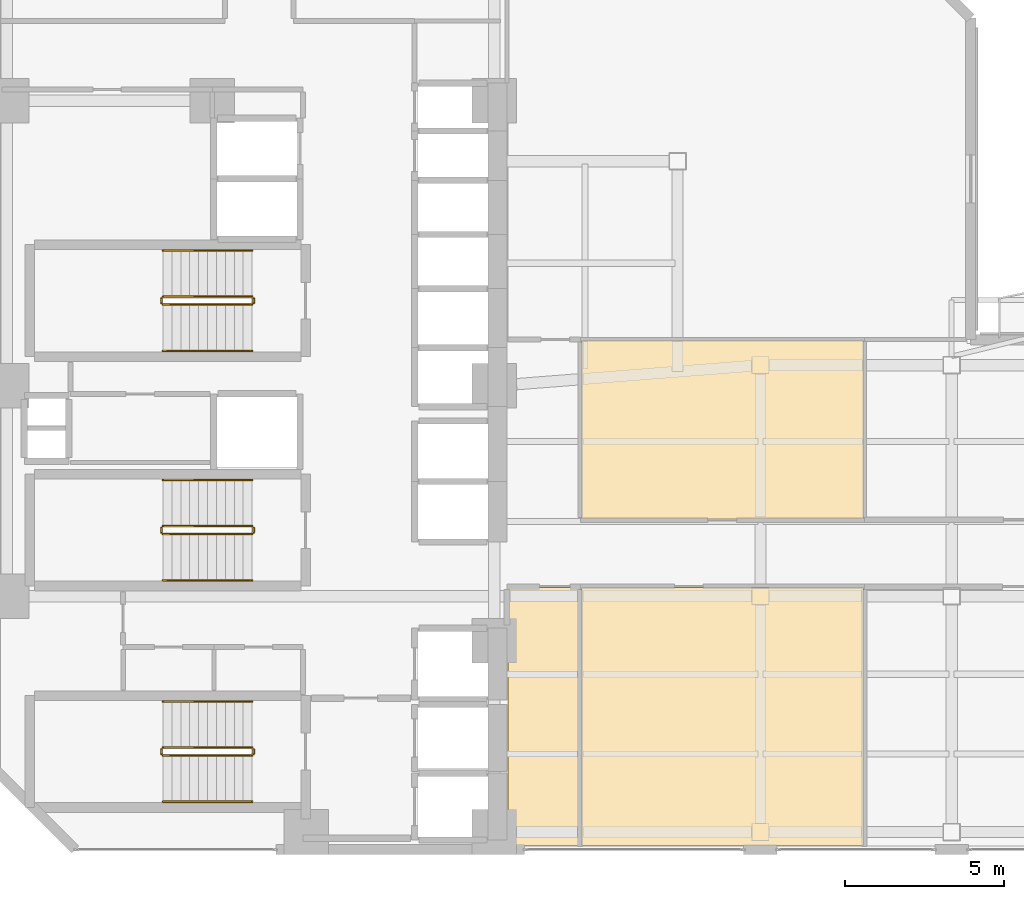
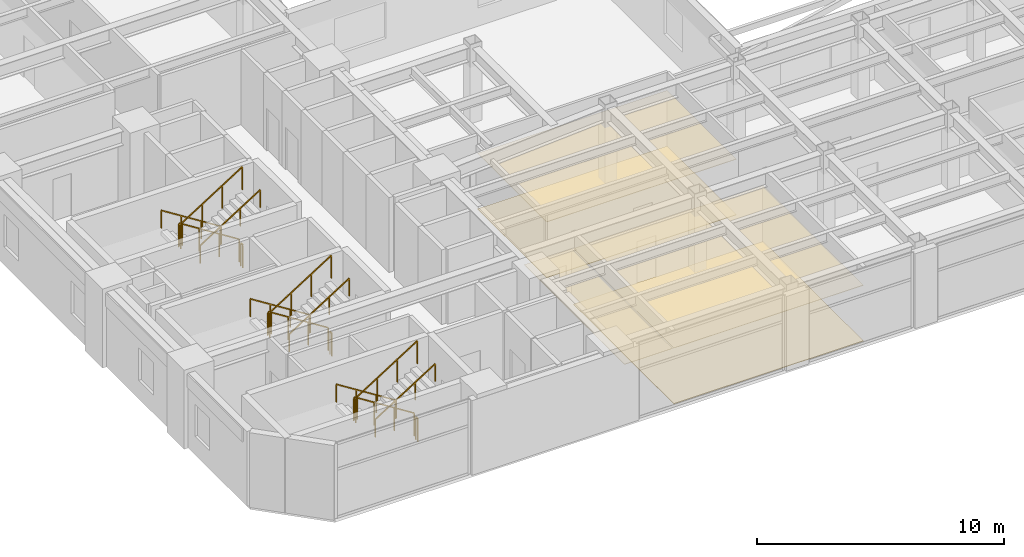
# One storey, part 14 of 16: 18 railings, 5 coverings.
"""IFC4 building model written with IfcOpenShell, lengths in metres."""

from ifc_helpers import new_model, si_unit, direction, frame, origin, origin_2d, place, context, subcontext, project, spatial, polyline, rectangle, outline, extrude, material, layer, layer_set, type_object, element, save


model = new_model("IFC4")

# Units and contexts
model_context = context("Model", 3, precision=1e-05, world=origin(), true_north=direction((0.0, 1.0)))
body_context = subcontext(model_context, "Body", "Model", "MODEL_VIEW")
ifc_project = project(units=[si_unit("LENGTHUNIT", "METRE"), si_unit("AREAUNIT", "SQUARE_METRE"), si_unit("VOLUMEUNIT", "CUBIC_METRE"), si_unit("PLANEANGLEUNIT", "RADIAN"), si_unit("MASSUNIT", "GRAM", prefix="KILO")], contexts=[model_context])

# Site, building, storey
site_placement = place(None, origin())
site = spatial("IfcSite", under=ifc_project, at=site_placement, CompositionType="ELEMENT")
building_placement = place(site_placement, origin())
building = spatial("IfcBuilding", under=site, at=building_placement, Name="Mawjaban Terraces University", CompositionType="ELEMENT")
storey_placement = place(building_placement, frame((0.0, 0.0, 54.39990234375)))
storey = spatial("IfcBuildingStorey", under=building, at=storey_placement, Name="L12", CompositionType="ELEMENT", Elevation=54.39990234375)

# Coverings
ifc_material_1 = material(Name="Acoustic mineral fibre ceiling tile", Category="masonry")
ifc_layer_1 = layer(ifc_material_1, 0.02001953125)
ifc_layer_set_1 = layer_set([ifc_layer_1], Name="Acoustic mineral fibre ceiling tile")
covering_type_1 = type_object("IfcCoveringType", Name="AcousticMineralCeiling_20", PredefinedType="CEILING", material=ifc_layer_set_1)
covering_1_placement = place(storey_placement, frame((0.0, 0.0, 2.75)))
element("IfcCovering", 1, at=covering_1_placement, inside=storey, type_object=covering_type_1, Name="L12 Media Workshop 1 Acoustic Ceiling", PredefinedType="CEILING", context=body_context, shape_type="SweptSolid", body=[
    extrude(outline(polyline([(38.080078125, 0.114990234375), (40.320068359375, 0.114990234375), (40.320068359375, 8.219970703125), (38.080078125, 8.219970703125), (38.080078125, 0.114990234375)])), origin(), (0.0, 0.0, 1.0), 0.02001953125),
])
covering_2_placement = place(storey_placement, frame((0.0, 0.0, 2.75)))
element("IfcCovering", 2, at=covering_2_placement, inside=storey, type_object=covering_type_1, Name="L12 Quiet Reading Room 2 Acoustic Ceiling", PredefinedType="CEILING", context=body_context, shape_type="SweptSolid", body=[
    extrude(outline(polyline([(40.3798828125, 0.114990234375), (49.23291015625, 0.114990234375), (49.23291015625, 8.219970703125), (40.3798828125, 8.219970703125), (40.3798828125, 0.114990234375)])), origin(), (0.0, 0.0, 1.0), 0.02001953125),
])
covering_3_placement = place(storey_placement, frame((0.0, 0.0, 2.75)))
element("IfcCovering", 3, at=covering_3_placement, inside=storey, type_object=covering_type_1, Name="L12 Reading Salon 3 Acoustic Ceiling", PredefinedType="CEILING", context=body_context, shape_type="SweptSolid", body=[
    extrude(outline(polyline([(49.23291015625, 10.3798828125), (49.23291015625, 15.969970703125), (40.3798828125, 15.969970703125), (40.3798828125, 10.3798828125), (49.23291015625, 10.3798828125)])), origin(), (0.0, 0.0, 1.0), 0.02001953125),
])

# Railings
ifc_material_2 = material(Name="Brushed stainless steel 316", Category="steel")
railing_type_1 = type_object("IfcRailingType", Name="StairWallHandrail_900", PredefinedType="HANDRAIL", material=ifc_material_2)
railing_1_placement = place(storey_placement, frame((30.050048828125, 4.64990234375, 0.177490234375)))
element("IfcRailing", 4, at=railing_1_placement, inside=storey, type_object=railing_type_1, Name="L12 ST-1 stair handrail 1", PredefinedType="HANDRAIL", context=body_context, shape_type="SweptSolid", body=[
    extrude(rectangle(XDim=0.048095703125, YDim=0.048095703125, at=origin_2d()), frame((0.0, 0.0, 0.8759765625), z_axis=(-0.844908973607, 0.0, 0.534910110503), x_axis=(0.0, -1.0, 0.0)), (0.0, 0.0, 1.0), 3.31396484375),
    extrude(rectangle(XDim=0.0419921875, YDim=0.0419921875, at=origin_2d()), origin(), (0.0, 0.0, 1.0), 0.851806640625),
    extrude(rectangle(XDim=0.0419921875, YDim=0.0419921875, at=origin_2d()), frame((-0.933349609375, 0.0, 0.5908203125)), (0.0, 0.0, 1.0), 0.851806640625),
    extrude(rectangle(XDim=0.0419921875, YDim=0.0419921875, at=origin_2d()), frame((-1.86669921875, 0.0, 1.181884765625)), (0.0, 0.0, 1.0), 0.851806640625),
    extrude(rectangle(XDim=0.0419921875, YDim=0.0419921875, at=origin_2d()), frame((-2.800048828125, 0.0, 1.772705078125)), (0.0, 0.0, 1.0), 0.851806640625),
])
railing_2_placement = place(storey_placement, frame((27.25, 1.5, 2.12744140625)))
element("IfcRailing", 5, at=railing_2_placement, inside=storey, type_object=railing_type_1, Name="L12 ST-1 stair handrail 2", PredefinedType="HANDRAIL", context=body_context, shape_type="SweptSolid", body=[
    extrude(rectangle(XDim=0.048095703125, YDim=0.048095703125, at=origin_2d()), frame((0.0, 0.0, 0.8759765625), z_axis=(0.844908973607, 0.0, 0.534910110503), x_axis=(0.0, 1.0, 0.0)), (0.0, 0.0, 1.0), 3.31396484375),
    extrude(rectangle(XDim=0.0419921875, YDim=0.0419921875, at=origin_2d()), origin(), (0.0, 0.0, 1.0), 0.851806640625),
    extrude(rectangle(XDim=0.0419921875, YDim=0.0419921875, at=origin_2d()), frame((0.933349609375, 0.0, 0.5908203125)), (0.0, 0.0, 1.0), 0.851806640625),
    extrude(rectangle(XDim=0.0419921875, YDim=0.0419921875, at=origin_2d()), frame((1.86669921875, 0.0, 1.181884765625)), (0.0, 0.0, 1.0), 0.851806640625),
    extrude(rectangle(XDim=0.0419921875, YDim=0.0419921875, at=origin_2d()), frame((2.800048828125, 0.0, 1.772705078125)), (0.0, 0.0, 1.0), 0.851806640625),
])
railing_3_placement = place(storey_placement, frame((30.050048828125, 18.800048828125, 0.177490234375)))
element("IfcRailing", 6, at=railing_3_placement, inside=storey, type_object=railing_type_1, Name="L12 ST-2 stair handrail 1", PredefinedType="HANDRAIL", context=body_context, shape_type="SweptSolid", body=[
    extrude(rectangle(XDim=0.048095703125, YDim=0.048095703125, at=origin_2d()), frame((0.0, 0.0, 0.8759765625), z_axis=(-0.844908973607, 0.0, 0.534910110503), x_axis=(0.0, -1.0, 0.0)), (0.0, 0.0, 1.0), 3.31396484375),
    extrude(rectangle(XDim=0.0419921875, YDim=0.0419921875, at=origin_2d()), origin(), (0.0, 0.0, 1.0), 0.851806640625),
    extrude(rectangle(XDim=0.0419921875, YDim=0.0419921875, at=origin_2d()), frame((-0.933349609375, 0.0, 0.5908203125)), (0.0, 0.0, 1.0), 0.851806640625),
    extrude(rectangle(XDim=0.0419921875, YDim=0.0419921875, at=origin_2d()), frame((-1.86669921875, 0.0, 1.181884765625)), (0.0, 0.0, 1.0), 0.851806640625),
    extrude(rectangle(XDim=0.0419921875, YDim=0.0419921875, at=origin_2d()), frame((-2.800048828125, 0.0, 1.772705078125)), (0.0, 0.0, 1.0), 0.851806640625),
])
railing_4_placement = place(storey_placement, frame((27.25, 15.64990234375, 2.12744140625)))
element("IfcRailing", 7, at=railing_4_placement, inside=storey, type_object=railing_type_1, Name="L12 ST-2 stair handrail 2", PredefinedType="HANDRAIL", context=body_context, shape_type="SweptSolid", body=[
    extrude(rectangle(XDim=0.048095703125, YDim=0.048095703125, at=origin_2d()), frame((0.0, 0.0, 0.8759765625), z_axis=(0.844908973607, 0.0, 0.534910110503), x_axis=(0.0, 1.0, 0.0)), (0.0, 0.0, 1.0), 3.31396484375),
    extrude(rectangle(XDim=0.0419921875, YDim=0.0419921875, at=origin_2d()), origin(), (0.0, 0.0, 1.0), 0.851806640625),
    extrude(rectangle(XDim=0.0419921875, YDim=0.0419921875, at=origin_2d()), frame((0.933349609375, 0.0, 0.5908203125)), (0.0, 0.0, 1.0), 0.851806640625),
    extrude(rectangle(XDim=0.0419921875, YDim=0.0419921875, at=origin_2d()), frame((1.86669921875, 0.0, 1.181884765625)), (0.0, 0.0, 1.0), 0.851806640625),
    extrude(rectangle(XDim=0.0419921875, YDim=0.0419921875, at=origin_2d()), frame((2.800048828125, 0.0, 1.772705078125)), (0.0, 0.0, 1.0), 0.851806640625),
])
railing_5_placement = place(storey_placement, frame((30.050048828125, 11.60009765625, 0.177490234375)))
element("IfcRailing", 8, at=railing_5_placement, inside=storey, type_object=railing_type_1, Name="L12 ST-3 stair handrail 1", PredefinedType="HANDRAIL", context=body_context, shape_type="SweptSolid", body=[
    extrude(rectangle(XDim=0.048095703125, YDim=0.048095703125, at=origin_2d()), frame((0.0, 0.0, 0.8759765625), z_axis=(-0.844908973607, 0.0, 0.534910110503), x_axis=(0.0, -1.0, 0.0)), (0.0, 0.0, 1.0), 3.31396484375),
    extrude(rectangle(XDim=0.0419921875, YDim=0.0419921875, at=origin_2d()), origin(), (0.0, 0.0, 1.0), 0.851806640625),
    extrude(rectangle(XDim=0.0419921875, YDim=0.0419921875, at=origin_2d()), frame((-0.933349609375, 0.0, 0.5908203125)), (0.0, 0.0, 1.0), 0.851806640625),
    extrude(rectangle(XDim=0.0419921875, YDim=0.0419921875, at=origin_2d()), frame((-1.86669921875, 0.0, 1.181884765625)), (0.0, 0.0, 1.0), 0.851806640625),
    extrude(rectangle(XDim=0.0419921875, YDim=0.0419921875, at=origin_2d()), frame((-2.800048828125, 0.0, 1.772705078125)), (0.0, 0.0, 1.0), 0.851806640625),
])
railing_6_placement = place(storey_placement, frame((27.25, 8.449951171875, 2.12744140625)))
element("IfcRailing", 9, at=railing_6_placement, inside=storey, type_object=railing_type_1, Name="L12 ST-3 stair handrail 2", PredefinedType="HANDRAIL", context=body_context, shape_type="SweptSolid", body=[
    extrude(rectangle(XDim=0.048095703125, YDim=0.048095703125, at=origin_2d()), frame((0.0, 0.0, 0.8759765625), z_axis=(0.844908973607, 0.0, 0.534910110503), x_axis=(0.0, 1.0, 0.0)), (0.0, 0.0, 1.0), 3.31396484375),
    extrude(rectangle(XDim=0.0419921875, YDim=0.0419921875, at=origin_2d()), origin(), (0.0, 0.0, 1.0), 0.851806640625),
    extrude(rectangle(XDim=0.0419921875, YDim=0.0419921875, at=origin_2d()), frame((0.933349609375, 0.0, 0.5908203125)), (0.0, 0.0, 1.0), 0.851806640625),
    extrude(rectangle(XDim=0.0419921875, YDim=0.0419921875, at=origin_2d()), frame((1.86669921875, 0.0, 1.181884765625)), (0.0, 0.0, 1.0), 0.851806640625),
    extrude(rectangle(XDim=0.0419921875, YDim=0.0419921875, at=origin_2d()), frame((2.800048828125, 0.0, 1.772705078125)), (0.0, 0.0, 1.0), 0.851806640625),
])
ifc_material_3 = material(Name="Galvanised painted steel S355", Category="steel")
railing_type_2 = type_object("IfcRailingType", Name="StairWellGuard_1150", PredefinedType="BALUSTRADE", material=ifc_material_3)
railing_7_placement = place(storey_placement, frame((30.050048828125, 3.199951171875, 0.177490234375)))
element("IfcRailing", 10, at=railing_7_placement, inside=storey, type_object=railing_type_2, Name="L12 ST-1 stair guard 1", PredefinedType="BALUSTRADE", context=body_context, shape_type="SweptSolid", body=[
    extrude(rectangle(XDim=0.048095703125, YDim=0.048095703125, at=origin_2d()), frame((0.0, 0.0, 1.1259765625), z_axis=(-0.844908973607, 0.0, 0.534910110503), x_axis=(0.0, -1.0, 0.0)), (0.0, 0.0, 1.0), 3.31396484375),
    extrude(rectangle(XDim=0.0419921875, YDim=0.0419921875, at=origin_2d()), origin(), (0.0, 0.0, 1.0), 1.101806640625),
    extrude(rectangle(XDim=0.0419921875, YDim=0.0419921875, at=origin_2d()), frame((-0.933349609375, 0.0, 0.5908203125)), (0.0, 0.0, 1.0), 1.101806640625),
    extrude(rectangle(XDim=0.0419921875, YDim=0.0419921875, at=origin_2d()), frame((-1.86669921875, 0.0, 1.181884765625)), (0.0, 0.0, 1.0), 1.101806640625),
    extrude(rectangle(XDim=0.0419921875, YDim=0.0419921875, at=origin_2d()), frame((-2.800048828125, 0.0, 1.772705078125)), (0.0, 0.0, 1.0), 1.101806640625),
])
railing_8_placement = place(storey_placement, frame((27.199951171875, 3.14990234375, 1.9501953125)))
element("IfcRailing", 11, at=railing_8_placement, inside=storey, type_object=railing_type_2, Name="L12 ST-1 stair guard 2", PredefinedType="BALUSTRADE", context=body_context, shape_type="SweptSolid", body=[
    extrude(rectangle(XDim=0.048095703125, YDim=0.048095703125, at=origin_2d()), frame((0.0, 0.0, 1.1259765625), z_axis=(0.0, -1.0, 0.0), x_axis=(1.0, 0.0, 0.0)), (0.0, 0.0, 1.0), 0.14990234375),
    extrude(rectangle(XDim=0.0419921875, YDim=0.0419921875, at=origin_2d()), origin(), (0.0, 0.0, 1.0), 1.101806640625),
    extrude(rectangle(XDim=0.0419921875, YDim=0.0419921875, at=origin_2d()), frame((0.0, -0.14990234375, 0.0)), (0.0, 0.0, 1.0), 1.101806640625),
])
railing_9_placement = place(storey_placement, frame((27.25, 2.949951171875, 2.12744140625)))
element("IfcRailing", 12, at=railing_9_placement, inside=storey, type_object=railing_type_2, Name="L12 ST-1 stair guard 3", PredefinedType="BALUSTRADE", context=body_context, shape_type="SweptSolid", body=[
    extrude(rectangle(XDim=0.048095703125, YDim=0.048095703125, at=origin_2d()), frame((0.0, 0.0, 1.1259765625), z_axis=(0.844908973607, 0.0, 0.534910110503), x_axis=(0.0, 1.0, 0.0)), (0.0, 0.0, 1.0), 3.31396484375),
    extrude(rectangle(XDim=0.0419921875, YDim=0.0419921875, at=origin_2d()), origin(), (0.0, 0.0, 1.0), 1.101806640625),
    extrude(rectangle(XDim=0.0419921875, YDim=0.0419921875, at=origin_2d()), frame((0.933349609375, 0.0, 0.5908203125)), (0.0, 0.0, 1.0), 1.101806640625),
    extrude(rectangle(XDim=0.0419921875, YDim=0.0419921875, at=origin_2d()), frame((1.86669921875, 0.0, 1.181884765625)), (0.0, 0.0, 1.0), 1.101806640625),
    extrude(rectangle(XDim=0.0419921875, YDim=0.0419921875, at=origin_2d()), frame((2.800048828125, 0.0, 1.772705078125)), (0.0, 0.0, 1.0), 1.101806640625),
])
railing_10_placement = place(storey_placement, frame((30.10009765625, 3.14990234375, 0.0)))
element("IfcRailing", 13, at=railing_10_placement, inside=storey, type_object=railing_type_2, Name="L12 ST-1 stair guard 4", PredefinedType="BALUSTRADE", context=body_context, shape_type="SweptSolid", body=[
    extrude(rectangle(XDim=0.048095703125, YDim=0.048095703125, at=origin_2d()), frame((0.0, 0.0, 1.1259765625), z_axis=(0.0, -1.0, 0.0), x_axis=(1.0, 0.0, 0.0)), (0.0, 0.0, 1.0), 0.14990234375),
    extrude(rectangle(XDim=0.0419921875, YDim=0.0419921875, at=origin_2d()), origin(), (0.0, 0.0, 1.0), 1.101806640625),
    extrude(rectangle(XDim=0.0419921875, YDim=0.0419921875, at=origin_2d()), frame((0.0, -0.14990234375, 0.0)), (0.0, 0.0, 1.0), 1.101806640625),
])
railing_11_placement = place(storey_placement, frame((30.050048828125, 17.35009765625, 0.177490234375)))
element("IfcRailing", 14, at=railing_11_placement, inside=storey, type_object=railing_type_2, Name="L12 ST-2 stair guard 1", PredefinedType="BALUSTRADE", context=body_context, shape_type="SweptSolid", body=[
    extrude(rectangle(XDim=0.048095703125, YDim=0.048095703125, at=origin_2d()), frame((0.0, 0.0, 1.1259765625), z_axis=(-0.844908973607, 0.0, 0.534910110503), x_axis=(0.0, -1.0, 0.0)), (0.0, 0.0, 1.0), 3.31396484375),
    extrude(rectangle(XDim=0.0419921875, YDim=0.0419921875, at=origin_2d()), origin(), (0.0, 0.0, 1.0), 1.101806640625),
    extrude(rectangle(XDim=0.0419921875, YDim=0.0419921875, at=origin_2d()), frame((-0.933349609375, 0.0, 0.5908203125)), (0.0, 0.0, 1.0), 1.101806640625),
    extrude(rectangle(XDim=0.0419921875, YDim=0.0419921875, at=origin_2d()), frame((-1.86669921875, 0.0, 1.181884765625)), (0.0, 0.0, 1.0), 1.101806640625),
    extrude(rectangle(XDim=0.0419921875, YDim=0.0419921875, at=origin_2d()), frame((-2.800048828125, 0.0, 1.772705078125)), (0.0, 0.0, 1.0), 1.101806640625),
])
railing_12_placement = place(storey_placement, frame((27.199951171875, 17.300048828125, 1.9501953125)))
element("IfcRailing", 15, at=railing_12_placement, inside=storey, type_object=railing_type_2, Name="L12 ST-2 stair guard 2", PredefinedType="BALUSTRADE", context=body_context, shape_type="SweptSolid", body=[
    extrude(rectangle(XDim=0.048095703125, YDim=0.048095703125, at=origin_2d()), frame((0.0, 0.0, 1.1259765625), z_axis=(0.0, -1.0, 0.0), x_axis=(1.0, 0.0, 0.0)), (0.0, 0.0, 1.0), 0.150146484375),
    extrude(rectangle(XDim=0.0419921875, YDim=0.0419921875, at=origin_2d()), origin(), (0.0, 0.0, 1.0), 1.101806640625),
    extrude(rectangle(XDim=0.0419921875, YDim=0.0419921875, at=origin_2d()), frame((0.0, -0.150146484375, 0.0)), (0.0, 0.0, 1.0), 1.101806640625),
])
railing_13_placement = place(storey_placement, frame((27.25, 17.10009765625, 2.12744140625)))
element("IfcRailing", 16, at=railing_13_placement, inside=storey, type_object=railing_type_2, Name="L12 ST-2 stair guard 3", PredefinedType="BALUSTRADE", context=body_context, shape_type="SweptSolid", body=[
    extrude(rectangle(XDim=0.048095703125, YDim=0.048095703125, at=origin_2d()), frame((0.0, 0.0, 1.1259765625), z_axis=(0.844908973607, 0.0, 0.534910110503), x_axis=(0.0, 1.0, 0.0)), (0.0, 0.0, 1.0), 3.31396484375),
    extrude(rectangle(XDim=0.0419921875, YDim=0.0419921875, at=origin_2d()), origin(), (0.0, 0.0, 1.0), 1.101806640625),
    extrude(rectangle(XDim=0.0419921875, YDim=0.0419921875, at=origin_2d()), frame((0.933349609375, 0.0, 0.5908203125)), (0.0, 0.0, 1.0), 1.101806640625),
    extrude(rectangle(XDim=0.0419921875, YDim=0.0419921875, at=origin_2d()), frame((1.86669921875, 0.0, 1.181884765625)), (0.0, 0.0, 1.0), 1.101806640625),
    extrude(rectangle(XDim=0.0419921875, YDim=0.0419921875, at=origin_2d()), frame((2.800048828125, 0.0, 1.772705078125)), (0.0, 0.0, 1.0), 1.101806640625),
])
railing_14_placement = place(storey_placement, frame((30.10009765625, 17.300048828125, 0.0)))
element("IfcRailing", 17, at=railing_14_placement, inside=storey, type_object=railing_type_2, Name="L12 ST-2 stair guard 4", PredefinedType="BALUSTRADE", context=body_context, shape_type="SweptSolid", body=[
    extrude(rectangle(XDim=0.048095703125, YDim=0.048095703125, at=origin_2d()), frame((0.0, 0.0, 1.1259765625), z_axis=(0.0, -1.0, 0.0), x_axis=(1.0, 0.0, 0.0)), (0.0, 0.0, 1.0), 0.150146484375),
    extrude(rectangle(XDim=0.0419921875, YDim=0.0419921875, at=origin_2d()), origin(), (0.0, 0.0, 1.0), 1.101806640625),
    extrude(rectangle(XDim=0.0419921875, YDim=0.0419921875, at=origin_2d()), frame((0.0, -0.150146484375, 0.0)), (0.0, 0.0, 1.0), 1.101806640625),
])
railing_15_placement = place(storey_placement, frame((30.050048828125, 10.14990234375, 0.177490234375)))
element("IfcRailing", 18, at=railing_15_placement, inside=storey, type_object=railing_type_2, Name="L12 ST-3 stair guard 1", PredefinedType="BALUSTRADE", context=body_context, shape_type="SweptSolid", body=[
    extrude(rectangle(XDim=0.048095703125, YDim=0.048095703125, at=origin_2d()), frame((0.0, 0.0, 1.1259765625), z_axis=(-0.844908973607, 0.0, 0.534910110503), x_axis=(0.0, -1.0, 0.0)), (0.0, 0.0, 1.0), 3.31396484375),
    extrude(rectangle(XDim=0.0419921875, YDim=0.0419921875, at=origin_2d()), origin(), (0.0, 0.0, 1.0), 1.101806640625),
    extrude(rectangle(XDim=0.0419921875, YDim=0.0419921875, at=origin_2d()), frame((-0.933349609375, 0.0, 0.5908203125)), (0.0, 0.0, 1.0), 1.101806640625),
    extrude(rectangle(XDim=0.0419921875, YDim=0.0419921875, at=origin_2d()), frame((-1.86669921875, 0.0, 1.181884765625)), (0.0, 0.0, 1.0), 1.101806640625),
    extrude(rectangle(XDim=0.0419921875, YDim=0.0419921875, at=origin_2d()), frame((-2.800048828125, 0.0, 1.772705078125)), (0.0, 0.0, 1.0), 1.101806640625),
])
railing_16_placement = place(storey_placement, frame((27.199951171875, 10.10009765625, 1.9501953125)))
element("IfcRailing", 19, at=railing_16_placement, inside=storey, type_object=railing_type_2, Name="L12 ST-3 stair guard 2", PredefinedType="BALUSTRADE", context=body_context, shape_type="SweptSolid", body=[
    extrude(rectangle(XDim=0.048095703125, YDim=0.048095703125, at=origin_2d()), frame((0.0, 0.0, 1.1259765625), z_axis=(0.0, -1.0, 0.0), x_axis=(1.0, 0.0, 0.0)), (0.0, 0.0, 1.0), 0.150146484375),
    extrude(rectangle(XDim=0.0419921875, YDim=0.0419921875, at=origin_2d()), origin(), (0.0, 0.0, 1.0), 1.101806640625),
    extrude(rectangle(XDim=0.0419921875, YDim=0.0419921875, at=origin_2d()), frame((0.0, -0.150146484375, 0.0)), (0.0, 0.0, 1.0), 1.101806640625),
])
railing_17_placement = place(storey_placement, frame((27.25, 9.89990234375, 2.12744140625)))
element("IfcRailing", 20, at=railing_17_placement, inside=storey, type_object=railing_type_2, Name="L12 ST-3 stair guard 3", PredefinedType="BALUSTRADE", context=body_context, shape_type="SweptSolid", body=[
    extrude(rectangle(XDim=0.048095703125, YDim=0.048095703125, at=origin_2d()), frame((0.0, 0.0, 1.1259765625), z_axis=(0.844908973607, 0.0, 0.534910110503), x_axis=(0.0, 1.0, 0.0)), (0.0, 0.0, 1.0), 3.31396484375),
    extrude(rectangle(XDim=0.0419921875, YDim=0.0419921875, at=origin_2d()), origin(), (0.0, 0.0, 1.0), 1.101806640625),
    extrude(rectangle(XDim=0.0419921875, YDim=0.0419921875, at=origin_2d()), frame((0.933349609375, 0.0, 0.5908203125)), (0.0, 0.0, 1.0), 1.101806640625),
    extrude(rectangle(XDim=0.0419921875, YDim=0.0419921875, at=origin_2d()), frame((1.86669921875, 0.0, 1.181884765625)), (0.0, 0.0, 1.0), 1.101806640625),
    extrude(rectangle(XDim=0.0419921875, YDim=0.0419921875, at=origin_2d()), frame((2.800048828125, 0.0, 1.772705078125)), (0.0, 0.0, 1.0), 1.101806640625),
])
railing_18_placement = place(storey_placement, frame((30.10009765625, 10.10009765625, 0.0)))
element("IfcRailing", 21, at=railing_18_placement, inside=storey, type_object=railing_type_2, Name="L12 ST-3 stair guard 4", PredefinedType="BALUSTRADE", context=body_context, shape_type="SweptSolid", body=[
    extrude(rectangle(XDim=0.048095703125, YDim=0.048095703125, at=origin_2d()), frame((0.0, 0.0, 1.1259765625), z_axis=(0.0, -1.0, 0.0), x_axis=(1.0, 0.0, 0.0)), (0.0, 0.0, 1.0), 0.150146484375),
    extrude(rectangle(XDim=0.0419921875, YDim=0.0419921875, at=origin_2d()), origin(), (0.0, 0.0, 1.0), 1.101806640625),
    extrude(rectangle(XDim=0.0419921875, YDim=0.0419921875, at=origin_2d()), frame((0.0, -0.150146484375, 0.0)), (0.0, 0.0, 1.0), 1.101806640625),
])

# Coverings
ifc_material_4 = material(Name="Polished Hijazi granite terrazzo flooring", Category="masonry")
ifc_layer_2 = layer(ifc_material_4, 0.02490234375)
ifc_layer_set_2 = layer_set([ifc_layer_2], Name="Polished Hijazi granite terrazzo flooring")
covering_type_2 = type_object("IfcCoveringType", Name="TerrazzoConcourseFlooring_25", PredefinedType="FLOORING", material=ifc_layer_set_2)
covering_4_placement = place(storey_placement, origin())
element("IfcCovering", 22, at=covering_4_placement, inside=storey, type_object=covering_type_2, Name="L12 Quiet Reading Room 2 Terrazzo Flooring", PredefinedType="FLOORING", context=body_context, shape_type="SweptSolid", body=[
    extrude(outline(polyline([(40.3798828125, 0.114990234375), (49.23291015625, 0.114990234375), (49.23291015625, 8.219970703125), (40.3798828125, 8.219970703125), (40.3798828125, 0.114990234375)])), origin(), (0.0, 0.0, 1.0), 0.025146484375),
])
covering_5_placement = place(storey_placement, origin())
element("IfcCovering", 23, at=covering_5_placement, inside=storey, type_object=covering_type_2, Name="L12 Reading Salon 3 Terrazzo Flooring", PredefinedType="FLOORING", context=body_context, shape_type="SweptSolid", body=[
    extrude(outline(polyline([(49.23291015625, 10.3798828125), (49.23291015625, 15.969970703125), (40.3798828125, 15.969970703125), (40.3798828125, 10.3798828125), (49.23291015625, 10.3798828125)])), origin(), (0.0, 0.0, 1.0), 0.025146484375),
])

save(model, "model.ifc")
